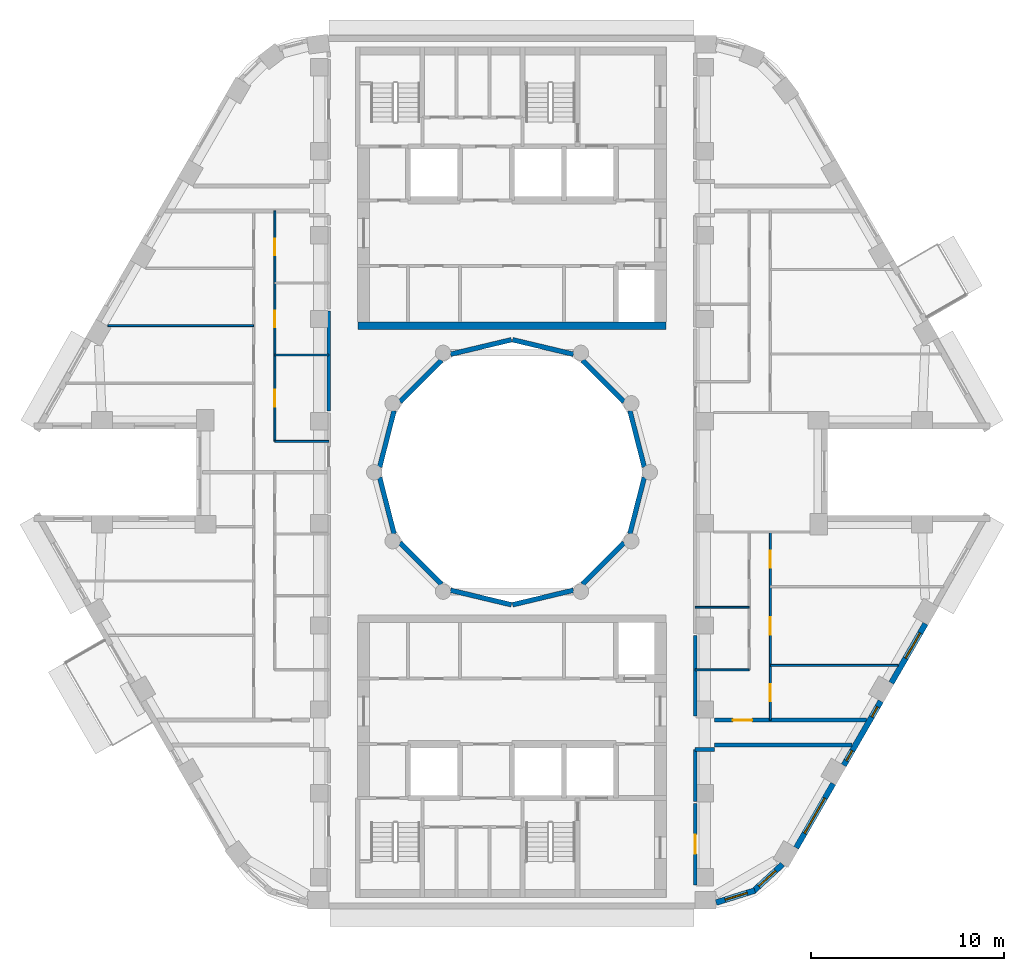
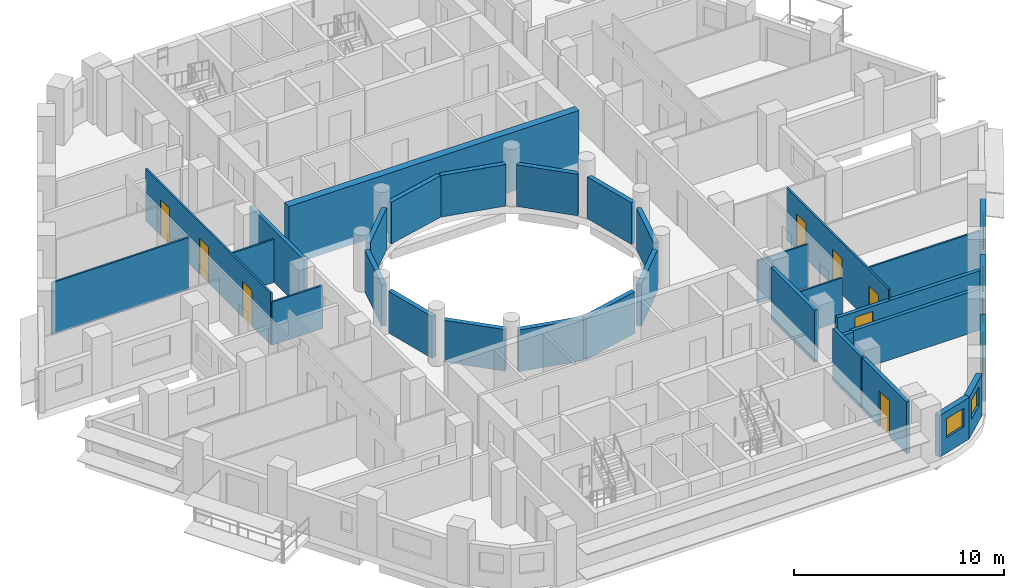
# One storey, part 5 of 16: 33 walls, 8 doors, 6 windows, 14 openings.
"""IFC4 building model written with IfcOpenShell, lengths in metres."""

from ifc_helpers import new_model, si_unit, direction, frame, frame_2d, origin, place, context, subcontext, project, spatial, rectangle, extrude, material, layer, layer_set, type_object, element, fill, save


model = new_model("IFC4")

# Units and contexts
model_context = context("Model", 3, precision=1e-05, world=origin(), true_north=direction((0.0, 1.0)))
body_context = subcontext(model_context, "Body", "Model", "MODEL_VIEW")
ifc_project = project(units=[si_unit("LENGTHUNIT", "METRE"), si_unit("AREAUNIT", "SQUARE_METRE"), si_unit("VOLUMEUNIT", "CUBIC_METRE"), si_unit("PLANEANGLEUNIT", "RADIAN"), si_unit("MASSUNIT", "GRAM", prefix="KILO")], contexts=[model_context])

# Site, building, storey
site_placement = place(None, origin())
site = spatial("IfcSite", under=ifc_project, at=site_placement, CompositionType="ELEMENT")
building_placement = place(site_placement, origin())
building = spatial("IfcBuilding", under=site, at=building_placement, Name="Nakaniwa Court", CompositionType="ELEMENT")
storey_placement = place(building_placement, frame((0.0, 0.0, 226.199951171875)))
storey = spatial("IfcBuildingStorey", under=building, at=storey_placement, Name="L58", CompositionType="ELEMENT", Elevation=226.199951171875)

# Wall, opening, door
ifc_material_1 = material(Name="Acoustic double stud partition")
ifc_layer_1 = layer(ifc_material_1, 0.199951171875)
ifc_layer_set_1 = layer_set([ifc_layer_1], Name="Acoustic double stud partition")
wall_type_1 = type_object("IfcWallType", Name="Acoustic double stud partition 200", PredefinedType="PARTITIONING", material=ifc_layer_set_1)
wall_1_placement = place(storey_placement, frame((89.5, 62.822998046875, 0.0), z_axis=(0.0, 0.0, 1.0), x_axis=(0.0, -1.0, 0.0)))
wall_1 = element("IfcWall", 1, at=wall_1_placement, inside=storey, type_object=wall_type_1, Name="Partition PW-063", PredefinedType="PARTITIONING", context=body_context, shape_type="SweptSolid", body=[
    extrude(rectangle(XDim=4.236083984375, YDim=0.199951171875, at=frame_2d((2.1181640625, 0.0))), origin(), (0.0, 0.0, 1.0), 3.025146484375),
])
opening_1_placement = place(wall_1_placement, frame((1.617919921875, 0.0, 0.0)))
opening_1 = element("IfcOpeningElement", 2, at=opening_1_placement, cuts=wall_1, Name="Opening D-02-01", PredefinedType="OPENING", context=body_context, shape_type="SweptSolid", body=[
    extrude(rectangle(XDim=1.0, YDim=2.10009765625, at=frame_2d((0.5, 1.050048828125))), frame((0.0, 0.10986328125, 0.0), z_axis=(0.0, -1.0, 0.0), x_axis=(1.0, 0.0, 0.0)), (0.0, 0.0, 1.0), 0.219970703125),
])
ifc_material_2 = material(Name="Solid core timber door set, black veneer", Category="wood")
door_type_1 = type_object("IfcDoorType", Name="Internal door 1000", OperationType="NOTDEFINED", PredefinedType="DOOR", material=ifc_material_2)
door_1_placement = place(opening_1_placement, origin())
door_1 = element("IfcDoor", 3, at=door_1_placement, inside=storey, type_object=door_type_1, Name="Door D-02-01 L58-027", OperationType="SINGLE_SWING_RIGHT", OverallHeight=2.10009765625, OverallWidth=1.0, PredefinedType="DOOR", context=body_context, shape_type="SweptSolid", body=[
    extrude(rectangle(XDim=1.0, YDim=2.10009765625, at=frame_2d((0.5, 1.050048828125))), frame((0.0, 0.02490234375, 0.0), z_axis=(0.0, -1.0, 0.0), x_axis=(1.0, 0.0, 0.0)), (0.0, 0.0, 1.0), 0.050048828125),
])
fill(opening_1, door_1)

# Walls
wall_2_placement = place(storey_placement, frame((89.5, 62.93701171875, 0.0), z_axis=(0.0, 0.0, 1.0), x_axis=(0.0, 1.0, 0.0)))
element("IfcWall", 4, at=wall_2_placement, inside=storey, type_object=wall_type_1, Name="Partition PW-064", PredefinedType="PARTITIONING", context=body_context, shape_type="SweptSolid", body=[
    extrude(rectangle(XDim=2.69091796875, YDim=0.199951171875, at=frame_2d((1.345458984375, 0.0))), origin(), (0.0, 0.0, 1.0), 3.025146484375),
])
wall_3_placement = place(storey_placement, frame((89.5, 67.3720703125, 0.0), z_axis=(0.0, 0.0, 1.0), x_axis=(0.0, 1.0, 0.0)))
element("IfcWall", 5, at=wall_3_placement, inside=storey, type_object=wall_type_1, Name="Partition PW-065", PredefinedType="PARTITIONING", context=body_context, shape_type="SweptSolid", body=[
    extrude(rectangle(XDim=4.15087890625, YDim=0.199951171875, at=frame_2d((2.075439453125, 0.0))), origin(), (0.0, 0.0, 1.0), 3.025146484375),
])
wall_4_placement = place(storey_placement, frame((90.5, 65.85009765625, 0.0), z_axis=(0.0, 0.0, 1.0), x_axis=(1.0, 0.0, 0.0)))
element("IfcWall", 6, at=wall_4_placement, inside=storey, type_object=wall_type_1, Name="Partition PW-081", PredefinedType="PARTITIONING", context=body_context, shape_type="SweptSolid", body=[
    extrude(rectangle(XDim=7.13818359375, YDim=0.199951171875, at=frame_2d((3.569091796875, 0.0))), origin(), (0.0, 0.0, 1.0), 2.405029296875),
])
wall_5_placement = place(storey_placement, frame((89.5, 65.625, 0.0), z_axis=(0.0, 0.0, 1.0), x_axis=(1.0, 0.0, 0.0)))
element("IfcWall", 7, at=wall_5_placement, inside=storey, type_object=wall_type_1, Name="Partition PW-083", PredefinedType="PARTITIONING", context=body_context, shape_type="SweptSolid", body=[
    extrude(rectangle(XDim=1.0, YDim=0.199951171875, at=frame_2d((0.5, 0.0))), origin(), (0.0, 0.0, 1.0), 2.505126953125),
])

# Wall, opening, door
wall_6_placement = place(storey_placement, frame((90.5, 67.14990234375, 0.0), z_axis=(0.0, 0.0, 1.0), x_axis=(1.0, 0.0, 0.0)))
wall_6 = element("IfcWall", 8, at=wall_6_placement, inside=storey, type_object=wall_type_1, Name="Partition PW-085", PredefinedType="PARTITIONING", context=body_context, shape_type="SweptSolid", body=[
    extrude(rectangle(XDim=7.888671875, YDim=0.199951171875, at=frame_2d((3.9443359375, 0.0))), origin(), (0.0, 0.0, 1.0), 2.405029296875),
])
opening_2_placement = place(wall_6_placement, frame((0.949951171875, 0.0, 0.0)))
opening_2 = element("IfcOpeningElement", 9, at=opening_2_placement, cuts=wall_6, Name="Opening D-01-01", PredefinedType="OPENING", context=body_context, shape_type="SweptSolid", body=[
    extrude(rectangle(XDim=1.0, YDim=2.10009765625, at=frame_2d((0.5, 1.050048828125))), frame((0.0, 0.10986328125, 0.0), z_axis=(0.0, -1.0, 0.0), x_axis=(1.0, 0.0, 0.0)), (0.0, 0.0, 1.0), 0.219970703125),
])
door_type_2 = type_object("IfcDoorType", Name="Flat entrance door 1000", OperationType="NOTDEFINED", PredefinedType="DOOR", material=ifc_material_2)
door_2_placement = place(opening_2_placement, origin())
door_2 = element("IfcDoor", 10, at=door_2_placement, inside=storey, type_object=door_type_2, Name="Door D-01-01 L58-028", OperationType="SINGLE_SWING_LEFT", OverallHeight=2.10009765625, OverallWidth=1.0, PredefinedType="DOOR", context=body_context, shape_type="SweptSolid", body=[
    extrude(rectangle(XDim=1.0, YDim=2.10009765625, at=frame_2d((0.5, 1.050048828125))), frame((0.0, 0.02490234375, 0.0), z_axis=(0.0, -1.0, 0.0), x_axis=(1.0, 0.0, 0.0)), (0.0, 0.0, 1.0), 0.050048828125),
])
fill(opening_2, door_2)

# Wall
wall_7_placement = place(storey_placement, frame((70.5, 83.177001953125, 0.0), z_axis=(0.0, 0.0, 1.0), x_axis=(0.0, 1.0, 0.0)))
element("IfcWall", 11, at=wall_7_placement, inside=storey, type_object=wall_type_1, Name="Partition PW-092", PredefinedType="PARTITIONING", context=body_context, shape_type="SweptSolid", body=[
    extrude(rectangle(XDim=5.18603515625, YDim=0.199951171875, at=frame_2d((2.593017578125, 0.0))), origin(), (0.0, 0.0, 1.0), 3.025146484375),
])

# Wall, opening, window
ifc_material_3 = material(Name="Charcoal ceramic cladding")
ifc_layer_2 = layer(ifc_material_3, 0.02, Name="Ceramic cladding")
ifc_material_4 = material(Name="Ventilated air cavity")
ifc_layer_3 = layer(ifc_material_4, 0.04, ventilated=True, Name="Ventilated cavity")
ifc_material_5 = material(Name="Mineral wool insulation")
ifc_layer_4 = layer(ifc_material_5, 0.1, Name="Insulation")
ifc_material_6 = material(Name="Cement bonded sheathing board")
ifc_layer_5 = layer(ifc_material_6, 0.012, Name="Sheathing")
ifc_material_7 = material(Name="Cold-formed galvanised stud frame with mineral wool infill")
ifc_layer_6 = layer(ifc_material_7, 0.1, Name="Stud frame")
ifc_material_8 = material(Name="Fire-rated gypsum plasterboard lining")
ifc_layer_7 = layer(ifc_material_8, 0.028, Name="Lining")
ifc_layer_set_2 = layer_set([ifc_layer_2, ifc_layer_3, ifc_layer_4, ifc_layer_5, ifc_layer_6, ifc_layer_7], Name="Charcoal ceramic faced external wall system")
wall_type_2 = type_object("IfcWallType", Name="Black ceramic faced external wall 300", PredefinedType="SOLIDWALL", material=ifc_layer_set_2)
wall_8_placement = place(storey_placement, frame((90.585693359375, 57.68408203125, 0.0), z_axis=(0.0, 0.0, 1.0), x_axis=(0.954941641926, 0.296793632875, 0.0)))
wall_8 = element("IfcWall", 12, at=wall_8_placement, inside=storey, type_object=wall_type_2, Name="L58 external wall 27", PredefinedType="SOLIDWALL", context=body_context, shape_type="SweptSolid", body=[
    extrude(rectangle(XDim=2.1025390625, YDim=0.300048828125, at=frame_2d((1.05126953125, 0.0))), origin(), (0.0, 0.0, 1.0), 2.425048828125),
])
opening_3_placement = place(wall_8_placement, frame((0.490234375, 0.0, 0.89990234375)))
opening_3 = element("IfcOpeningElement", 13, at=opening_3_placement, cuts=wall_8, Name="Opening W6.25", PredefinedType="OPENING", context=body_context, shape_type="SweptSolid", body=[
    extrude(rectangle(XDim=1.199951171875, YDim=1.10009765625, at=frame_2d((0.60009765625, 0.550048828125))), frame((0.0, 0.159912109375, 0.0), z_axis=(0.0, -1.0, 0.0), x_axis=(1.0, 0.0, 0.0)), (0.0, 0.0, 1.0), 0.320068359375),
])
ifc_material_9 = material(Name="Black anodised aluminium frame with dark low-E laminated double glazing", Category="aluminium")
window_type_1 = type_object("IfcWindowType", Name="Dark glass window 1200x1100 sill 900", PartitioningType="SINGLE_PANEL", PredefinedType="WINDOW", material=ifc_material_9)
window_1_placement = place(opening_3_placement, origin())
window_1 = element("IfcWindow", 14, at=window_1_placement, inside=storey, type_object=window_type_1, Name="L58 habitable room window 27-0", OverallHeight=1.10009765625, OverallWidth=1.199951171875, PartitioningType="SINGLE_PANEL", PredefinedType="WINDOW", context=body_context, shape_type="SweptSolid", body=[
    extrude(rectangle(XDim=1.199951171875, YDim=1.10009765625, at=frame_2d((0.60009765625, 0.550048828125))), frame((0.0, 0.030029296875, 0.0), z_axis=(0.0, -1.0, 0.0), x_axis=(1.0, 0.0, 0.0)), (0.0, 0.0, 1.0), 0.06005859375),
])
fill(opening_3, window_1)

wall_9_placement = place(storey_placement, frame((92.489501953125, 58.247314453125, 0.0), z_axis=(0.0, 0.0, 1.0), x_axis=(0.734830223907, 0.678251090698, 0.0)))
wall_9 = element("IfcWall", 15, at=wall_9_placement, inside=storey, type_object=wall_type_2, Name="L58 external wall 28", PredefinedType="SOLIDWALL", context=body_context, shape_type="SweptSolid", body=[
    extrude(rectangle(XDim=2.09716796875, YDim=0.300048828125, at=frame_2d((1.048583984375, 0.0))), origin(), (0.0, 0.0, 1.0), 2.425048828125),
])
opening_4_placement = place(wall_9_placement, frame((0.409423828125, 0.0, 0.89990234375)))
opening_4 = element("IfcOpeningElement", 16, at=opening_4_placement, cuts=wall_9, Name="Opening W6.26", PredefinedType="OPENING", context=body_context, shape_type="SweptSolid", body=[
    extrude(rectangle(XDim=1.199951171875, YDim=1.10009765625, at=frame_2d((0.60009765625, 0.550048828125))), frame((0.0, 0.159912109375, 0.0), z_axis=(0.0, -1.0, 0.0), x_axis=(1.0, 0.0, 0.0)), (0.0, 0.0, 1.0), 0.320068359375),
])
window_2_placement = place(opening_4_placement, origin())
window_2 = element("IfcWindow", 17, at=window_2_placement, inside=storey, type_object=window_type_1, Name="L58 habitable room window 28-0", OverallHeight=1.10009765625, OverallWidth=1.199951171875, PartitioningType="SINGLE_PANEL", PredefinedType="WINDOW", context=body_context, shape_type="SweptSolid", body=[
    extrude(rectangle(XDim=1.199951171875, YDim=1.10009765625, at=frame_2d((0.60009765625, 0.550048828125))), frame((0.0, 0.030029296875, 0.0), z_axis=(0.0, -1.0, 0.0), x_axis=(1.0, 0.0, 0.0)), (0.0, 0.0, 1.0), 0.06005859375),
])
fill(opening_4, window_2)

wall_10_placement = place(storey_placement, frame((94.73583984375, 60.523193359375, 0.0), z_axis=(0.0, 0.0, 1.0), x_axis=(0.499984490703, 0.866034357896, 0.0)))
wall_10 = element("IfcWall", 18, at=wall_10_placement, inside=storey, type_object=wall_type_2, Name="L58 external wall 29", PredefinedType="SOLIDWALL", context=body_context, shape_type="SweptSolid", body=[
    extrude(rectangle(XDim=3.84423828125, YDim=0.300048828125, at=frame_2d((1.922119140625, 0.0))), origin(), (0.0, 0.0, 1.0), 2.425048828125),
])
opening_5_placement = place(wall_10_placement, frame((0.8720703125, 0.0, 0.89990234375)))
opening_5 = element("IfcOpeningElement", 19, at=opening_5_placement, cuts=wall_10, Name="Opening W7.27", PredefinedType="OPENING", context=body_context, shape_type="SweptSolid", body=[
    extrude(rectangle(XDim=2.10009765625, YDim=1.10009765625, at=frame_2d((1.050048828125, 0.550048828125))), frame((0.0, 0.159912109375, 0.0), z_axis=(0.0, -1.0, 0.0), x_axis=(1.0, 0.0, 0.0)), (0.0, 0.0, 1.0), 0.320068359375),
])
window_type_2 = type_object("IfcWindowType", Name="Dark glass window 2100x1100 sill 900", PartitioningType="SINGLE_PANEL", PredefinedType="WINDOW", material=ifc_material_9)
window_3_placement = place(opening_5_placement, origin())
window_3 = element("IfcWindow", 20, at=window_3_placement, inside=storey, type_object=window_type_2, Name="L58 habitable room window 29-0", OverallHeight=1.10009765625, OverallWidth=2.10009765625, PartitioningType="SINGLE_PANEL", PredefinedType="WINDOW", context=body_context, shape_type="SweptSolid", body=[
    extrude(rectangle(XDim=2.10009765625, YDim=1.10009765625, at=frame_2d((1.050048828125, 0.550048828125))), frame((0.0, 0.030029296875, 0.0), z_axis=(0.0, -1.0, 0.0), x_axis=(1.0, 0.0, 0.0)), (0.0, 0.0, 1.0), 0.06005859375),
])
fill(opening_5, window_3)

# Wall, openings, windows
wall_11_placement = place(storey_placement, frame((97.2041015625, 64.798095703125, 0.0), z_axis=(0.0, 0.0, 1.0), x_axis=(0.499984490703, 0.866034357896, 0.0)))
wall_11 = element("IfcWall", 21, at=wall_11_placement, inside=storey, type_object=wall_type_2, Name="L58 external wall 30", PredefinedType="SOLIDWALL", context=body_context, shape_type="SweptSolid", body=[
    extrude(rectangle(XDim=3.84423828125, YDim=0.300048828125, at=frame_2d((1.922119140625, 0.0))), origin(), (0.0, 0.0, 1.0), 2.425048828125),
])
opening_6_placement = place(wall_11_placement, frame((0.283203125, 0.0, 0.89990234375)))
opening_6 = element("IfcOpeningElement", 22, at=opening_6_placement, cuts=wall_11, Name="Opening W8.28", PredefinedType="OPENING", context=body_context, shape_type="SweptSolid", body=[
    extrude(rectangle(XDim=0.60009765625, YDim=1.10009765625, at=frame_2d((0.300048828125, 0.550048828125))), frame((0.0, 0.159912109375, 0.0), z_axis=(0.0, -1.0, 0.0), x_axis=(1.0, 0.0, 0.0)), (0.0, 0.0, 1.0), 0.320068359375),
])
opening_7_placement = place(wall_11_placement, frame((2.906005859375, 0.0, 0.89990234375)))
opening_7 = element("IfcOpeningElement", 23, at=opening_7_placement, cuts=wall_11, Name="Opening W8.29", PredefinedType="OPENING", context=body_context, shape_type="SweptSolid", body=[
    extrude(rectangle(XDim=0.60009765625, YDim=1.10009765625, at=frame_2d((0.300048828125, 0.550048828125))), frame((0.0, 0.159912109375, 0.0), z_axis=(0.0, -1.0, 0.0), x_axis=(1.0, 0.0, 0.0)), (0.0, 0.0, 1.0), 0.320068359375),
])
window_type_3 = type_object("IfcWindowType", Name="Dark glass window 600x1100 sill 900", PartitioningType="SINGLE_PANEL", PredefinedType="WINDOW", material=ifc_material_9)
window_4_placement = place(opening_6_placement, origin())
window_4 = element("IfcWindow", 24, at=window_4_placement, inside=storey, type_object=window_type_3, Name="L58 habitable room window 30-0", OverallHeight=1.10009765625, OverallWidth=0.60009765625, PartitioningType="SINGLE_PANEL", PredefinedType="WINDOW", context=body_context, shape_type="SweptSolid", body=[
    extrude(rectangle(XDim=0.60009765625, YDim=1.10009765625, at=frame_2d((0.300048828125, 0.550048828125))), frame((0.0, 0.030029296875, 0.0), z_axis=(0.0, -1.0, 0.0), x_axis=(1.0, 0.0, 0.0)), (0.0, 0.0, 1.0), 0.06005859375),
])
fill(opening_6, window_4)
window_5_placement = place(opening_7_placement, origin())
window_5 = element("IfcWindow", 25, at=window_5_placement, inside=storey, type_object=window_type_3, Name="L58 bedroom window 30-2", OverallHeight=1.10009765625, OverallWidth=0.60009765625, PartitioningType="SINGLE_PANEL", PredefinedType="WINDOW", context=body_context, shape_type="SweptSolid", body=[
    extrude(rectangle(XDim=0.60009765625, YDim=1.10009765625, at=frame_2d((0.300048828125, 0.550048828125))), frame((0.0, 0.030029296875, 0.0), z_axis=(0.0, -1.0, 0.0), x_axis=(1.0, 0.0, 0.0)), (0.0, 0.0, 1.0), 0.06005859375),
])
fill(opening_7, window_5)

# Wall, opening, window
wall_12_placement = place(storey_placement, frame((99.672119140625, 69.072998046875, 0.0), z_axis=(0.0, 0.0, 1.0), x_axis=(0.500010404316, 0.866019396766, 0.0)))
wall_12 = element("IfcWall", 26, at=wall_12_placement, inside=storey, type_object=wall_type_2, Name="L58 external wall 31", PredefinedType="SOLIDWALL", context=body_context, shape_type="SweptSolid", body=[
    extrude(rectangle(XDim=3.54736328125, YDim=0.300048828125, at=frame_2d((1.773681640625, 0.0))), origin(), (0.0, 0.0, 1.0), 2.425048828125),
])
opening_8_placement = place(wall_12_placement, frame((1.486328125, 0.0, 0.89990234375)))
opening_8 = element("IfcOpeningElement", 27, at=opening_8_placement, cuts=wall_12, Name="Opening W5.30", PredefinedType="OPENING", context=body_context, shape_type="SweptSolid", body=[
    extrude(rectangle(XDim=1.5, YDim=1.10009765625, at=frame_2d((0.75, 0.550048828125))), frame((0.0, 0.159912109375, 0.0), z_axis=(0.0, -1.0, 0.0), x_axis=(1.0, 0.0, 0.0)), (0.0, 0.0, 1.0), 0.320068359375),
])
window_type_4 = type_object("IfcWindowType", Name="Dark glass window 1500x1100 sill 900", PartitioningType="SINGLE_PANEL", PredefinedType="WINDOW", material=ifc_material_9)
window_6_placement = place(opening_8_placement, origin())
window_6 = element("IfcWindow", 28, at=window_6_placement, inside=storey, type_object=window_type_4, Name="L58 living window 31-1", OverallHeight=1.10009765625, OverallWidth=1.5, PartitioningType="SINGLE_PANEL", PredefinedType="WINDOW", context=body_context, shape_type="SweptSolid", body=[
    extrude(rectangle(XDim=1.5, YDim=1.10009765625, at=frame_2d((0.75, 0.550048828125))), frame((0.0, 0.030029296875, 0.0), z_axis=(0.0, -1.0, 0.0), x_axis=(1.0, 0.0, 0.0)), (0.0, 0.0, 1.0), 0.06005859375),
])
fill(opening_8, window_6)

# Walls
ifc_layer_8 = layer(ifc_material_3, 0.02, Name="Ceramic cladding")
ifc_layer_9 = layer(ifc_material_4, 0.04, ventilated=True, Name="Ventilated cavity")
ifc_layer_10 = layer(ifc_material_5, 0.075, Name="Insulation")
ifc_layer_11 = layer(ifc_material_6, 0.012, Name="Sheathing")
ifc_layer_12 = layer(ifc_material_7, 0.075, Name="Stud frame")
ifc_layer_13 = layer(ifc_material_8, 0.028, Name="Lining")
ifc_layer_set_3 = layer_set([ifc_layer_8, ifc_layer_9, ifc_layer_10, ifc_layer_11, ifc_layer_12, ifc_layer_13], Name="Charcoal ceramic faced external wall system")
wall_type_3 = type_object("IfcWallType", Name="Charcoal ceramic faced well wall 250", PredefinedType="SOLIDWALL", material=ifc_layer_set_3)
wall_13_placement = place(storey_placement, frame((86.8603515625, 79.72998046875, 0.0), z_axis=(0.0, 0.0, 1.0), x_axis=(-0.247055971283, -0.969001211069, 0.0)))
element("IfcWall", 29, at=wall_13_placement, inside=storey, type_object=wall_type_3, Name="L58 external wall 36", PredefinedType="SOLIDWALL", context=body_context, shape_type="SweptSolid", body=[
    extrude(rectangle(XDim=3.010009765625, YDim=0.25, at=frame_2d((1.5048828125, 0.0))), origin(), (0.0, 0.0, 1.0), 2.425048828125),
])
wall_14_placement = place(storey_placement, frame((85.8056640625, 76.339111328125, 0.0), z_axis=(0.0, 0.0, 1.0), x_axis=(-0.707106781187, -0.707106781187, 0.0)))
element("IfcWall", 30, at=wall_14_placement, inside=storey, type_object=wall_type_3, Name="L58 external wall 37", PredefinedType="SOLIDWALL", context=body_context, shape_type="SweptSolid", body=[
    extrude(rectangle(XDim=3.033203125, YDim=0.25, at=frame_2d((1.5166015625, 0.0))), origin(), (0.0, 0.0, 1.0), 2.425048828125),
])
for number, where, z_axis, x_axis, name in (
    (31, (83.186279296875, 73.880615234375, 0.0), (0.0, 0.0, 1.0), (-0.972773113459, -0.231759508395, 0.0), "L58 external wall 38"),
    (32, (79.970947265625, 73.12841796875, 0.0), (0.0, 0.0, 1.0), (-0.972773113459, 0.231759508395, 0.0), "L58 external wall 39"),
):
    element("IfcWall", number, at=place(storey_placement, frame(where, z_axis=z_axis, x_axis=x_axis)), inside=storey, type_object=wall_type_3, Name=name, PredefinedType="SOLIDWALL", context=body_context, shape_type="SweptSolid", body=[
        extrude(rectangle(XDim=3.24560546875, YDim=0.25, at=frame_2d((1.622802734375, 0.0))), origin(), (0.0, 0.0, 1.0), 2.425048828125),
    ])
wall_15_placement = place(storey_placement, frame((76.339111328125, 74.1943359375, 0.0), z_axis=(0.0, 0.0, 1.0), x_axis=(-0.707106781187, 0.707106781187, 0.0)))
element("IfcWall", 33, at=wall_15_placement, inside=storey, type_object=wall_type_3, Name="L58 external wall 40", PredefinedType="SOLIDWALL", context=body_context, shape_type="SweptSolid", body=[
    extrude(rectangle(XDim=3.033203125, YDim=0.25, at=frame_2d((1.5166015625, 0.0))), origin(), (0.0, 0.0, 1.0), 2.425048828125),
])
for number, where, z_axis, x_axis, name in (
    (34, (73.88330078125, 76.813232421875, 0.0), (0.0, 0.0, 1.0), (-0.247055971283, 0.969001211069, 0.0), "L58 external wall 41"),
    (35, (73.1396484375, 80.27001953125, 0.0), (0.0, 0.0, 1.0), (0.247055971283, 0.969001211069, 0.0), "L58 external wall 42"),
):
    element("IfcWall", number, at=place(storey_placement, frame(where, z_axis=z_axis, x_axis=x_axis)), inside=storey, type_object=wall_type_3, Name=name, PredefinedType="SOLIDWALL", context=body_context, shape_type="SweptSolid", body=[
        extrude(rectangle(XDim=3.010009765625, YDim=0.25, at=frame_2d((1.5048828125, 0.0))), origin(), (0.0, 0.0, 1.0), 2.425048828125),
    ])
wall_16_placement = place(storey_placement, frame((74.1943359375, 83.660888671875, 0.0), z_axis=(0.0, 0.0, 1.0), x_axis=(0.707106781187, 0.707106781187, 0.0)))
element("IfcWall", 36, at=wall_16_placement, inside=storey, type_object=wall_type_3, Name="L58 external wall 43", PredefinedType="SOLIDWALL", context=body_context, shape_type="SweptSolid", body=[
    extrude(rectangle(XDim=3.033203125, YDim=0.25, at=frame_2d((1.5166015625, 0.0))), origin(), (0.0, 0.0, 1.0), 2.425048828125),
])
for number, where, z_axis, x_axis, name in (
    (37, (76.813720703125, 86.119384765625, 0.0), (0.0, 0.0, 1.0), (0.972773113459, 0.231759508395, 0.0), "L58 external wall 44"),
    (38, (80.029052734375, 86.87158203125, 0.0), (0.0, 0.0, 1.0), (0.972773113459, -0.231759508395, 0.0), "L58 external wall 45"),
):
    element("IfcWall", number, at=place(storey_placement, frame(where, z_axis=z_axis, x_axis=x_axis)), inside=storey, type_object=wall_type_3, Name=name, PredefinedType="SOLIDWALL", context=body_context, shape_type="SweptSolid", body=[
        extrude(rectangle(XDim=3.24560546875, YDim=0.25, at=frame_2d((1.622802734375, 0.0))), origin(), (0.0, 0.0, 1.0), 2.425048828125),
    ])
wall_17_placement = place(storey_placement, frame((83.660888671875, 85.8056640625, 0.0), z_axis=(0.0, 0.0, 1.0), x_axis=(0.707106781187, -0.707106781187, 0.0)))
element("IfcWall", 39, at=wall_17_placement, inside=storey, type_object=wall_type_3, Name="L58 external wall 46", PredefinedType="SOLIDWALL", context=body_context, shape_type="SweptSolid", body=[
    extrude(rectangle(XDim=3.033203125, YDim=0.25, at=frame_2d((1.5166015625, 0.0))), origin(), (0.0, 0.0, 1.0), 2.425048828125),
])
wall_18_placement = place(storey_placement, frame((86.11669921875, 83.186767578125, 0.0), z_axis=(0.0, 0.0, 1.0), x_axis=(0.247055971283, -0.969001211069, 0.0)))
element("IfcWall", 40, at=wall_18_placement, inside=storey, type_object=wall_type_3, Name="L58 external wall 47", PredefinedType="SOLIDWALL", context=body_context, shape_type="SweptSolid", body=[
    extrude(rectangle(XDim=3.010009765625, YDim=0.25, at=frame_2d((1.5048828125, 0.0))), origin(), (0.0, 0.0, 1.0), 2.425048828125),
])
ifc_material_10 = material(Name="Concrete C80/100", Category="concrete")
ifc_layer_14 = layer(ifc_material_10, 0.39990234375)
ifc_layer_set_4 = layer_set([ifc_layer_14], Name="Concrete C80/100")
wall_type_4 = type_object("IfcWallType", Name="Concrete core well wall 400 C80", PredefinedType="SHEAR", material=ifc_layer_set_4)
wall_19_placement = place(storey_placement, frame((72.00390625, 87.60009765625, -0.409912109375), z_axis=(0.0, 0.0, 1.0), x_axis=(1.0, 0.0, 0.0)))
element("IfcWall", 41, at=wall_19_placement, inside=storey, type_object=wall_type_4, Name="Core wall SW-128", PredefinedType="SHEAR", context=body_context, shape_type="SweptSolid", body=[
    extrude(rectangle(XDim=15.9921875, YDim=0.39990234375, at=frame_2d((7.99609375, 0.0))), origin(), (0.0, 0.0, 1.0), 3.43505859375),
])
ifc_material_11 = material(Name="Single stud plasterboard partition")
ifc_layer_15 = layer(ifc_material_11, 0.10009765625)
ifc_layer_set_5 = layer_set([ifc_layer_15], Name="Single stud plasterboard partition")
wall_type_5 = type_object("IfcWallType", Name="Single stud plasterboard partition 100", PredefinedType="PARTITIONING", material=ifc_layer_set_5)
for number, where, z_axis, x_axis, name in (
    (42, (89.5, 73.0, 0.0), (0.0, 0.0, 1.0), (1.0, 0.0, 0.0), "Partition PW-098"),
    (43, (89.5, 69.75, 0.0), (0.0, 0.0, 1.0), (1.0, 0.0, 0.0), "Partition PW-102"),
):
    element("IfcWall", number, at=place(storey_placement, frame(where, z_axis=z_axis, x_axis=x_axis)), inside=storey, type_object=wall_type_5, Name=name, PredefinedType="PARTITIONING", context=body_context, shape_type="SweptSolid", body=[
        extrude(rectangle(XDim=2.800048828125, YDim=0.10009765625, at=frame_2d((1.39990234375, 0.0))), origin(), (0.0, 0.0, 1.0), 2.505126953125),
    ])

# Wall, openings, doors
wall_20_placement = place(storey_placement, frame((93.39990234375, 76.89990234375, 0.0), z_axis=(0.0, 0.0, 1.0), x_axis=(0.0, -1.0, 0.0)))
wall_20 = element("IfcWall", 44, at=wall_20_placement, inside=storey, type_object=wall_type_5, Name="Partition PW-104", PredefinedType="PARTITIONING", context=body_context, shape_type="SweptSolid", body=[
    extrude(rectangle(XDim=9.75, YDim=0.10009765625, at=frame_2d((4.875, 0.0))), origin(), (0.0, 0.0, 1.0), 3.025146484375),
])
opening_9_placement = place(wall_20_placement, frame((7.885009765625, 0.0, 0.0)))
opening_9 = element("IfcOpeningElement", 45, at=opening_9_placement, cuts=wall_20, Name="Opening D-33-02", PredefinedType="OPENING", context=body_context, shape_type="SweptSolid", body=[
    extrude(rectangle(XDim=0.89990234375, YDim=2.10009765625, at=frame_2d((0.449951171875, 1.050048828125))), frame((0.0, 0.06005859375, 0.0), z_axis=(0.0, -1.0, 0.0), x_axis=(1.0, 0.0, 0.0)), (0.0, 0.0, 1.0), 0.1201171875),
])
opening_10_placement = place(wall_20_placement, frame((4.425048828125, 0.0, 0.0)))
opening_10 = element("IfcOpeningElement", 46, at=opening_10_placement, cuts=wall_20, Name="Opening D-33-03", PredefinedType="OPENING", context=body_context, shape_type="SweptSolid", body=[
    extrude(rectangle(XDim=0.89990234375, YDim=2.10009765625, at=frame_2d((0.449951171875, 1.050048828125))), frame((0.0, 0.06005859375, 0.0), z_axis=(0.0, -1.0, 0.0), x_axis=(1.0, 0.0, 0.0)), (0.0, 0.0, 1.0), 0.1201171875),
])
opening_11_placement = place(wall_20_placement, frame((0.965087890625, 0.0, 0.0)))
opening_11 = element("IfcOpeningElement", 47, at=opening_11_placement, cuts=wall_20, Name="Opening D-33-04", PredefinedType="OPENING", context=body_context, shape_type="SweptSolid", body=[
    extrude(rectangle(XDim=0.89990234375, YDim=2.10009765625, at=frame_2d((0.449951171875, 1.050048828125))), frame((0.0, 0.06005859375, 0.0), z_axis=(0.0, -1.0, 0.0), x_axis=(1.0, 0.0, 0.0)), (0.0, 0.0, 1.0), 0.1201171875),
])
door_type_3 = type_object("IfcDoorType", Name="Internal door 900", OperationType="NOTDEFINED", PredefinedType="DOOR", material=ifc_material_2)
door_3_placement = place(opening_9_placement, origin())
door_3 = element("IfcDoor", 48, at=door_3_placement, inside=storey, type_object=door_type_3, Name="Door D-33-02 L58-031", OperationType="SINGLE_SWING_RIGHT", OverallHeight=2.10009765625, OverallWidth=0.89990234375, PredefinedType="DOOR", context=body_context, shape_type="SweptSolid", body=[
    extrude(rectangle(XDim=0.89990234375, YDim=2.10009765625, at=frame_2d((0.449951171875, 1.050048828125))), frame((0.0, 0.02490234375, 0.0), z_axis=(0.0, -1.0, 0.0), x_axis=(1.0, 0.0, 0.0)), (0.0, 0.0, 1.0), 0.050048828125),
])
fill(opening_9, door_3)
door_4_placement = place(opening_10_placement, origin())
door_4 = element("IfcDoor", 49, at=door_4_placement, inside=storey, type_object=door_type_3, Name="Door D-33-03 L58-032", OperationType="SINGLE_SWING_LEFT", OverallHeight=2.10009765625, OverallWidth=0.89990234375, PredefinedType="DOOR", context=body_context, shape_type="SweptSolid", body=[
    extrude(rectangle(XDim=0.89990234375, YDim=2.10009765625, at=frame_2d((0.449951171875, 1.050048828125))), frame((0.0, 0.02490234375, 0.0), z_axis=(0.0, -1.0, 0.0), x_axis=(1.0, 0.0, 0.0)), (0.0, 0.0, 1.0), 0.050048828125),
])
fill(opening_10, door_4)
door_5_placement = place(opening_11_placement, origin())
door_5 = element("IfcDoor", 50, at=door_5_placement, inside=storey, type_object=door_type_3, Name="Door D-33-04 L58-033", OperationType="SINGLE_SWING_RIGHT", OverallHeight=2.10009765625, OverallWidth=0.89990234375, PredefinedType="DOOR", context=body_context, shape_type="SweptSolid", body=[
    extrude(rectangle(XDim=0.89990234375, YDim=2.10009765625, at=frame_2d((0.449951171875, 1.050048828125))), frame((0.0, 0.02490234375, 0.0), z_axis=(0.0, -1.0, 0.0), x_axis=(1.0, 0.0, 0.0)), (0.0, 0.0, 1.0), 0.050048828125),
])
fill(opening_11, door_5)

# Wall
wall_21_placement = place(storey_placement, frame((93.39990234375, 69.98095703125, 0.0), z_axis=(0.0, 0.0, 1.0), x_axis=(1.0, 0.0, 0.0)))
element("IfcWall", 51, at=wall_21_placement, inside=storey, type_object=wall_type_5, Name="Partition PW-106", PredefinedType="PARTITIONING", context=body_context, shape_type="SweptSolid", body=[
    extrude(rectangle(XDim=6.623046875, YDim=0.10009765625, at=frame_2d((3.3115234375, 0.0))), origin(), (0.0, 0.0, 1.0), 2.405029296875),
])

# Wall, openings, doors
wall_22_placement = place(storey_placement, frame((67.699951171875, 93.550048828125, 0.0), z_axis=(0.0, 0.0, 1.0), x_axis=(0.0, -1.0, 0.0)))
wall_22 = element("IfcWall", 52, at=wall_22_placement, inside=storey, type_object=wall_type_5, Name="Partition PW-115", PredefinedType="PARTITIONING", context=body_context, shape_type="SweptSolid", body=[
    extrude(rectangle(XDim=11.949951171875, YDim=0.10009765625, at=frame_2d((5.97509765625, 0.0))), origin(), (0.0, 0.0, 1.0), 3.025146484375),
])
opening_12_placement = place(wall_22_placement, frame((9.259033203125, 0.0, 0.0)))
opening_12 = element("IfcOpeningElement", 53, at=opening_12_placement, cuts=wall_22, Name="Opening D-33-14", PredefinedType="OPENING", context=body_context, shape_type="SweptSolid", body=[
    extrude(rectangle(XDim=0.89990234375, YDim=2.10009765625, at=frame_2d((0.449951171875, 1.050048828125))), frame((0.0, 0.06005859375, 0.0), z_axis=(0.0, -1.0, 0.0), x_axis=(1.0, 0.0, 0.0)), (0.0, 0.0, 1.0), 0.1201171875),
])
opening_13_placement = place(wall_22_placement, frame((5.177001953125, 0.0, 0.0)))
opening_13 = element("IfcOpeningElement", 54, at=opening_13_placement, cuts=wall_22, Name="Opening D-03-05", PredefinedType="OPENING", context=body_context, shape_type="SweptSolid", body=[
    extrude(rectangle(XDim=0.85009765625, YDim=2.10009765625, at=frame_2d((0.425048828125, 1.050048828125))), frame((0.0, 0.06005859375, 0.0), z_axis=(0.0, -1.0, 0.0), x_axis=(1.0, 0.0, 0.0)), (0.0, 0.0, 1.0), 0.1201171875),
])
opening_14_placement = place(wall_22_placement, frame((1.44189453125, 0.0, 0.0)))
opening_14 = element("IfcOpeningElement", 55, at=opening_14_placement, cuts=wall_22, Name="Opening D-03-06", PredefinedType="OPENING", context=body_context, shape_type="SweptSolid", body=[
    extrude(rectangle(XDim=0.85009765625, YDim=2.10009765625, at=frame_2d((0.425048828125, 1.050048828125))), frame((0.0, 0.06005859375, 0.0), z_axis=(0.0, -1.0, 0.0), x_axis=(1.0, 0.0, 0.0)), (0.0, 0.0, 1.0), 0.1201171875),
])
ifc_material_12 = material(Name="Moisture sealed timber door set", Category="wood")
door_type_4 = type_object("IfcDoorType", Name="Bathroom door 850", OperationType="NOTDEFINED", PredefinedType="DOOR", material=ifc_material_12)
door_6_placement = place(opening_13_placement, origin())
door_6 = element("IfcDoor", 56, at=door_6_placement, inside=storey, type_object=door_type_4, Name="Door D-03-05 L58-053", OperationType="SINGLE_SWING_RIGHT", OverallHeight=2.10009765625, OverallWidth=0.85009765625, PredefinedType="DOOR", context=body_context, shape_type="SweptSolid", body=[
    extrude(rectangle(XDim=0.85009765625, YDim=2.10009765625, at=frame_2d((0.425048828125, 1.050048828125))), frame((0.0, 0.02490234375, 0.0), z_axis=(0.0, -1.0, 0.0), x_axis=(1.0, 0.0, 0.0)), (0.0, 0.0, 1.0), 0.050048828125),
])
fill(opening_13, door_6)
door_7_placement = place(opening_14_placement, origin())
door_7 = element("IfcDoor", 57, at=door_7_placement, inside=storey, type_object=door_type_4, Name="Door D-03-06 L58-054", OperationType="SINGLE_SWING_LEFT", OverallHeight=2.10009765625, OverallWidth=0.85009765625, PredefinedType="DOOR", context=body_context, shape_type="SweptSolid", body=[
    extrude(rectangle(XDim=0.85009765625, YDim=2.10009765625, at=frame_2d((0.425048828125, 1.050048828125))), frame((0.0, 0.02490234375, 0.0), z_axis=(0.0, -1.0, 0.0), x_axis=(1.0, 0.0, 0.0)), (0.0, 0.0, 1.0), 0.050048828125),
])
fill(opening_14, door_7)
door_8_placement = place(opening_12_placement, origin())
door_8 = element("IfcDoor", 58, at=door_8_placement, inside=storey, type_object=door_type_3, Name="Door D-33-14 L58-052", OperationType="SINGLE_SWING_LEFT", OverallHeight=2.10009765625, OverallWidth=0.89990234375, PredefinedType="DOOR", context=body_context, shape_type="SweptSolid", body=[
    extrude(rectangle(XDim=0.89990234375, YDim=2.10009765625, at=frame_2d((0.449951171875, 1.050048828125))), frame((0.0, 0.02490234375, 0.0), z_axis=(0.0, -1.0, 0.0), x_axis=(1.0, 0.0, 0.0)), (0.0, 0.0, 1.0), 0.050048828125),
])
fill(opening_12, door_8)

# Walls
for number, where, z_axis, x_axis, name in (
    (59, (67.699951171875, 86.0810546875, 0.0), (0.0, 0.0, 1.0), (1.0, 0.0, 0.0), "Partition PW-122"),
    (60, (67.699951171875, 81.60009765625, 0.0), (0.0, 0.0, 1.0), (1.0, 0.0, 0.0), "Partition PW-123"),
):
    element("IfcWall", number, at=place(storey_placement, frame(where, z_axis=z_axis, x_axis=x_axis)), inside=storey, type_object=wall_type_5, Name=name, PredefinedType="PARTITIONING", context=body_context, shape_type="SweptSolid", body=[
        extrude(rectangle(XDim=2.800048828125, YDim=0.10009765625, at=frame_2d((1.39990234375, 0.0))), origin(), (0.0, 0.0, 1.0), 2.505126953125),
    ])
wall_23_placement = place(storey_placement, frame((59.0419921875, 87.60107421875, 0.0), z_axis=(0.0, 0.0, 1.0), x_axis=(1.0, 0.0, 0.0)))
element("IfcWall", 61, at=wall_23_placement, inside=storey, type_object=wall_type_5, Name="Partition PW-126", PredefinedType="PARTITIONING", context=body_context, shape_type="SweptSolid", body=[
    extrude(rectangle(XDim=7.55810546875, YDim=0.10009765625, at=frame_2d((3.779052734375, 0.0))), origin(), (0.0, 0.0, 1.0), 3.025146484375),
])

save(model, "model.ifc")
